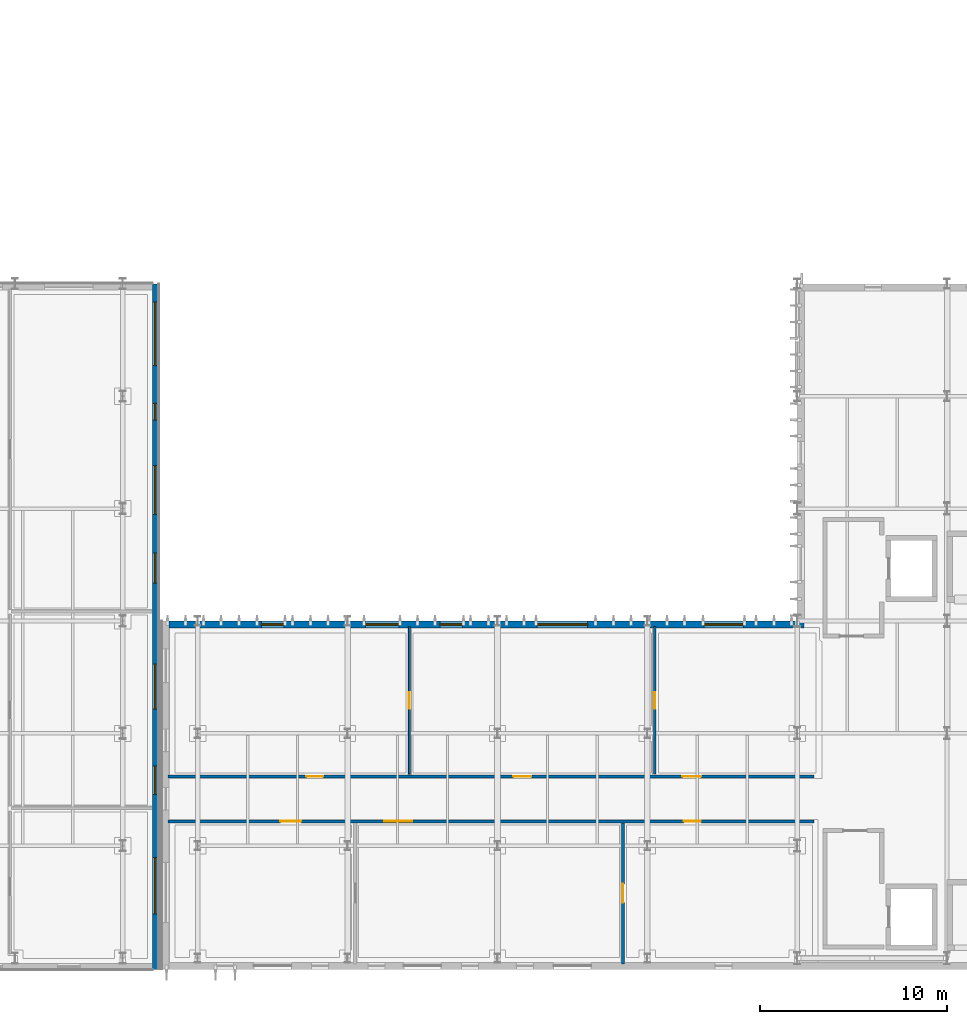
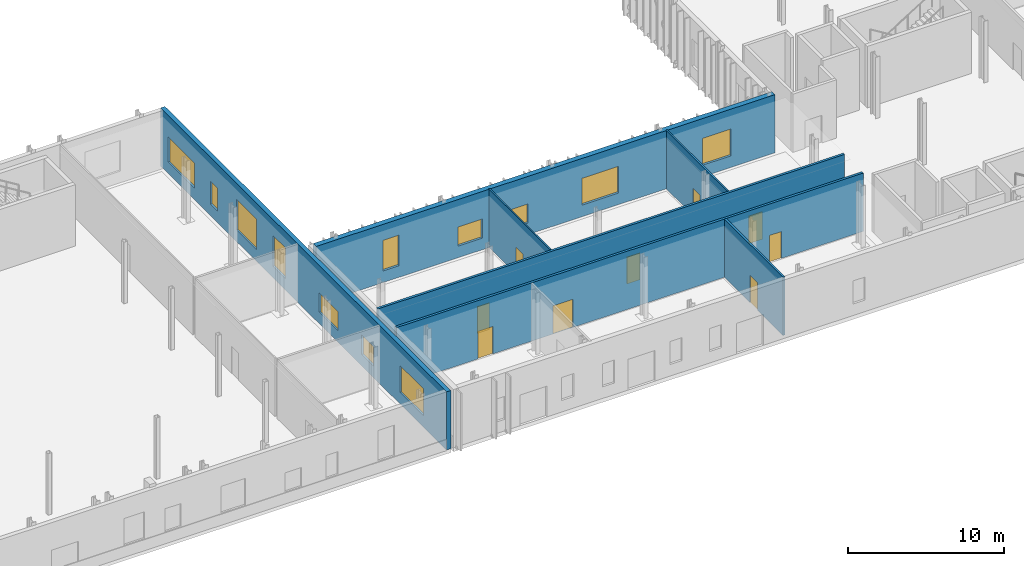
# One storey, part 27 of 60: 12 windows, 9 doors, 7 walls, 21 openings.
"""IFC4 building model written with IfcOpenShell, lengths in metres."""

from ifc_helpers import new_model, si_unit, direction, frame, frame_2d, origin, place, context, subcontext, project, spatial, rectangle, extrude, material, layer, layer_set, type_object, element, fill, save


model = new_model("IFC4")

# Units and contexts
model_context = context("Model", 3, precision=1e-05, world=origin(), true_north=direction((0.0, 1.0)))
body_context = subcontext(model_context, "Body", "Model", "MODEL_VIEW")
ifc_project = project(units=[si_unit("LENGTHUNIT", "METRE"), si_unit("AREAUNIT", "SQUARE_METRE"), si_unit("VOLUMEUNIT", "CUBIC_METRE"), si_unit("PLANEANGLEUNIT", "RADIAN"), si_unit("MASSUNIT", "GRAM", prefix="KILO")], contexts=[model_context])

# Site, building, storey
site_placement = place(None, origin())
site = spatial("IfcSite", under=ifc_project, at=site_placement, CompositionType="ELEMENT")
building_placement = place(site_placement, origin())
building = spatial("IfcBuilding", under=site, at=building_placement, Name="Cymarion Research Institute", CompositionType="ELEMENT")
storey_placement = place(building_placement, origin())
storey = spatial("IfcBuildingStorey", under=building, at=storey_placement, Name="L00", CompositionType="ELEMENT", Elevation=0.0)

# Wall, openings, windows
ifc_material_1 = material(Name="Precast concrete C40/50", Category="concrete")
ifc_layer_1 = layer(ifc_material_1, 0.3798828125)
ifc_layer_set_1 = layer_set([ifc_layer_1], Name="Precast concrete C40/50")
wall_type_1 = type_object("IfcWallType", Name="EXTERIOR WALL EW-PC380 380MM", PredefinedType="SOLIDWALL", material=ifc_layer_set_1)
wall_1_placement = place(storey_placement, frame((138.9619140625, 23.31005859375, 0.0), z_axis=(0.0, 0.0, 1.0), x_axis=(-1.0, 0.0, 0.0)))
wall_1 = element("IfcWall", 1, at=wall_1_placement, inside=storey, type_object=wall_type_1, Name="L00 V1 exterior wall EW-PC380 #53", PredefinedType="SOLIDWALL", context=body_context, shape_type="SweptSolid", body=[
    extrude(rectangle(XDim=33.89990234375, YDim=0.3798828125, at=frame_2d((16.949951171875, 0.0))), origin(), (0.0, 0.0, 1.0), 4.550048828125),
])
opening_1_placement = place(wall_1_placement, frame((3.23193359375, 0.0, 0.89990234375)))
opening_1 = element("IfcOpeningElement", 2, at=opening_1_placement, cuts=wall_1, Name="Opening W11", PredefinedType="OPENING", context=body_context, shape_type="SweptSolid", body=[
    extrude(rectangle(XDim=2.10009765625, YDim=2.10009765625, at=frame_2d((1.050048828125, 1.050048828125))), frame((0.0, 0.199951171875, 0.0), z_axis=(0.0, -1.0, 0.0), x_axis=(1.0, 0.0, 0.0)), (0.0, 0.0, 1.0), 0.39990234375),
])
opening_2_placement = place(wall_1_placement, frame((11.5419921875, 0.0, 0.89990234375)))
opening_2 = element("IfcOpeningElement", 3, at=opening_2_placement, cuts=wall_1, Name="Opening W13", PredefinedType="OPENING", context=body_context, shape_type="SweptSolid", body=[
    extrude(rectangle(XDim=2.699951171875, YDim=2.10009765625, at=frame_2d((1.35009765625, 1.050048828125))), frame((0.0, 0.199951171875, 0.0), z_axis=(0.0, -1.0, 0.0), x_axis=(1.0, 0.0, 0.0)), (0.0, 0.0, 1.0), 0.39990234375),
])
opening_3_placement = place(wall_1_placement, frame((18.23193359375, 0.0, 0.89990234375)))
opening_3 = element("IfcOpeningElement", 4, at=opening_3_placement, cuts=wall_1, Name="Opening W15", PredefinedType="OPENING", context=body_context, shape_type="SweptSolid", body=[
    extrude(rectangle(XDim=1.199951171875, YDim=1.5, at=frame_2d((0.60009765625, 0.75))), frame((0.0, 0.199951171875, 0.0), z_axis=(0.0, -1.0, 0.0), x_axis=(1.0, 0.0, 0.0)), (0.0, 0.0, 1.0), 0.39990234375),
])
opening_4_placement = place(wall_1_placement, frame((21.612060546875, 0.0, 0.89990234375)))
opening_4 = element("IfcOpeningElement", 5, at=opening_4_placement, cuts=wall_1, Name="Opening W17", PredefinedType="OPENING", context=body_context, shape_type="SweptSolid", body=[
    extrude(rectangle(XDim=1.800048828125, YDim=1.5, at=frame_2d((0.89990234375, 0.75))), frame((0.0, 0.199951171875, 0.0), z_axis=(0.0, -1.0, 0.0), x_axis=(1.0, 0.0, 0.0)), (0.0, 0.0, 1.0), 0.39990234375),
])
opening_5_placement = place(wall_1_placement, frame((27.761962890625, 0.0, 0.89990234375)))
opening_5 = element("IfcOpeningElement", 6, at=opening_5_placement, cuts=wall_1, Name="Opening W19", PredefinedType="OPENING", context=body_context, shape_type="SweptSolid", body=[
    extrude(rectangle(XDim=1.199951171875, YDim=2.39990234375, at=frame_2d((0.60009765625, 1.199951171875))), frame((0.0, 0.199951171875, 0.0), z_axis=(0.0, -1.0, 0.0), x_axis=(1.0, 0.0, 0.0)), (0.0, 0.0, 1.0), 0.39990234375),
])
ifc_material_2 = material(Name="Thermally broken aluminium window with Low-E glazing", Category="aluminium")
window_type_1 = type_object("IfcWindowType", Name="THERMALLY BROKEN ALUMINIUM WINDOW W11 2100X2100", PartitioningType="DOUBLE_PANEL_VERTICAL", PredefinedType="WINDOW", material=ifc_material_2)
window_1_placement = place(opening_1_placement, origin())
window_1 = element("IfcWindow", 7, at=window_1_placement, inside=storey, type_object=window_type_1, Name="L00 V1 facade window W11 #29", OverallHeight=2.10009765625, OverallWidth=2.10009765625, PartitioningType="SINGLE_PANEL", PredefinedType="WINDOW", context=body_context, shape_type="SweptSolid", body=[
    extrude(rectangle(XDim=2.10009765625, YDim=2.10009765625, at=frame_2d((1.050048828125, 1.050048828125))), frame((0.0, 0.030029296875, 0.0), z_axis=(0.0, -1.0, 0.0), x_axis=(1.0, 0.0, 0.0)), (0.0, 0.0, 1.0), 0.06005859375),
])
fill(opening_1, window_1)
window_type_2 = type_object("IfcWindowType", Name="THERMALLY BROKEN ALUMINIUM WINDOW W13 2700X2100", PartitioningType="TRIPLE_PANEL_VERTICAL", PredefinedType="WINDOW", material=ifc_material_2)
window_2_placement = place(opening_2_placement, origin())
window_2 = element("IfcWindow", 8, at=window_2_placement, inside=storey, type_object=window_type_2, Name="L00 V1 facade window W13 #30", OverallHeight=2.10009765625, OverallWidth=2.699951171875, PartitioningType="SINGLE_PANEL", PredefinedType="WINDOW", context=body_context, shape_type="SweptSolid", body=[
    extrude(rectangle(XDim=2.699951171875, YDim=2.10009765625, at=frame_2d((1.35009765625, 1.050048828125))), frame((0.0, 0.030029296875, 0.0), z_axis=(0.0, -1.0, 0.0), x_axis=(1.0, 0.0, 0.0)), (0.0, 0.0, 1.0), 0.06005859375),
])
fill(opening_2, window_2)
window_type_3 = type_object("IfcWindowType", Name="THERMALLY BROKEN ALUMINIUM WINDOW W15 1200X1500", PartitioningType="SINGLE_PANEL", PredefinedType="WINDOW", material=ifc_material_2)
window_3_placement = place(opening_3_placement, origin())
window_3 = element("IfcWindow", 9, at=window_3_placement, inside=storey, type_object=window_type_3, Name="L00 V1 facade window W15 #31", OverallHeight=1.5, OverallWidth=1.199951171875, PartitioningType="SINGLE_PANEL", PredefinedType="WINDOW", context=body_context, shape_type="SweptSolid", body=[
    extrude(rectangle(XDim=1.199951171875, YDim=1.5, at=frame_2d((0.60009765625, 0.75))), frame((0.0, 0.030029296875, 0.0), z_axis=(0.0, -1.0, 0.0), x_axis=(1.0, 0.0, 0.0)), (0.0, 0.0, 1.0), 0.06005859375),
])
fill(opening_3, window_3)
window_type_4 = type_object("IfcWindowType", Name="THERMALLY BROKEN ALUMINIUM WINDOW W17 1800X1500", PartitioningType="DOUBLE_PANEL_HORIZONTAL", PredefinedType="WINDOW", material=ifc_material_2)
window_4_placement = place(opening_4_placement, origin())
window_4 = element("IfcWindow", 10, at=window_4_placement, inside=storey, type_object=window_type_4, Name="L00 V1 facade window W17 #32", OverallHeight=1.5, OverallWidth=1.800048828125, PartitioningType="SINGLE_PANEL", PredefinedType="WINDOW", context=body_context, shape_type="SweptSolid", body=[
    extrude(rectangle(XDim=1.800048828125, YDim=1.5, at=frame_2d((0.89990234375, 0.75))), frame((0.0, 0.030029296875, 0.0), z_axis=(0.0, -1.0, 0.0), x_axis=(1.0, 0.0, 0.0)), (0.0, 0.0, 1.0), 0.06005859375),
])
fill(opening_4, window_4)
window_type_5 = type_object("IfcWindowType", Name="THERMALLY BROKEN ALUMINIUM WINDOW W19 1200X2400", PartitioningType="SINGLE_PANEL", PredefinedType="WINDOW", material=ifc_material_2)
window_5_placement = place(opening_5_placement, origin())
window_5 = element("IfcWindow", 11, at=window_5_placement, inside=storey, type_object=window_type_5, Name="L00 V1 facade window W19 #33", OverallHeight=2.39990234375, OverallWidth=1.199951171875, PartitioningType="SINGLE_PANEL", PredefinedType="WINDOW", context=body_context, shape_type="SweptSolid", body=[
    extrude(rectangle(XDim=1.199951171875, YDim=2.39990234375, at=frame_2d((0.60009765625, 1.199951171875))), frame((0.0, 0.030029296875, 0.0), z_axis=(0.0, -1.0, 0.0), x_axis=(1.0, 0.0, 0.0)), (0.0, 0.0, 1.0), 0.06005859375),
])
fill(opening_5, window_5)

ifc_material_3 = material(Name="Concrete C40/50", Category="concrete")
ifc_layer_2 = layer(ifc_material_3, 0.320068359375)
ifc_layer_set_2 = layer_set([ifc_layer_2], Name="Concrete C40/50")
wall_type_2 = type_object("IfcWallType", Name="EXTERIOR WALL EW-RC320 320MM", PredefinedType="SHEAR", material=ifc_layer_set_2)
wall_2_placement = place(storey_placement, frame((104.340087890625, 4.89990234375, 0.0), z_axis=(0.0, 0.0, 1.0), x_axis=(0.0, 1.0, 0.0)))
wall_2 = element("IfcWall", 12, at=wall_2_placement, inside=storey, type_object=wall_type_2, Name="L00 V2 exterior wall EW-RC320 #56", PredefinedType="SHEAR", context=body_context, shape_type="SweptSolid", body=[
    extrude(rectangle(XDim=36.60009765625, YDim=0.320068359375, at=frame_2d((18.300048828125, 0.0))), origin(), (0.0, 0.0, 1.0), 4.550048828125),
])
opening_6_placement = place(wall_2_placement, frame((2.969970703125, 0.0, 0.89990234375)))
opening_6 = element("IfcOpeningElement", 13, at=opening_6_placement, cuts=wall_2, Name="Opening W14", PredefinedType="OPENING", context=body_context, shape_type="SweptSolid", body=[
    extrude(rectangle(XDim=3.0, YDim=2.10009765625, at=frame_2d((1.5, 1.050048828125))), frame((0.0, 0.169921875, 0.0), z_axis=(0.0, -1.0, 0.0), x_axis=(1.0, 0.0, 0.0)), (0.0, 0.0, 1.0), 0.340087890625),
])
opening_7_placement = place(wall_2_placement, frame((9.35009765625, 0.0, 0.89990234375)))
opening_7 = element("IfcOpeningElement", 14, at=opening_7_placement, cuts=wall_2, Name="Opening W16", PredefinedType="OPENING", context=body_context, shape_type="SweptSolid", body=[
    extrude(rectangle(XDim=1.5, YDim=1.5, at=frame_2d((0.75, 0.75))), frame((0.0, 0.169921875, 0.0), z_axis=(0.0, -1.0, 0.0), x_axis=(1.0, 0.0, 0.0)), (0.0, 0.0, 1.0), 0.340087890625),
])
opening_8_placement = place(wall_2_placement, frame((13.89990234375, 0.0, 0.89990234375)))
opening_8 = element("IfcOpeningElement", 15, at=opening_8_placement, cuts=wall_2, Name="Opening W18", PredefinedType="OPENING", context=body_context, shape_type="SweptSolid", body=[
    extrude(rectangle(XDim=2.39990234375, YDim=1.5, at=frame_2d((1.199951171875, 0.75))), frame((0.0, 0.169921875, 0.0), z_axis=(0.0, -1.0, 0.0), x_axis=(1.0, 0.0, 0.0)), (0.0, 0.0, 1.0), 0.340087890625),
])
opening_9_placement = place(wall_2_placement, frame((20.625, 0.0, 0.89990234375)))
opening_9 = element("IfcOpeningElement", 16, at=opening_9_placement, cuts=wall_2, Name="Opening W20", PredefinedType="OPENING", context=body_context, shape_type="SweptSolid", body=[
    extrude(rectangle(XDim=1.60009765625, YDim=2.39990234375, at=frame_2d((0.800048828125, 1.199951171875))), frame((0.0, 0.169921875, 0.0), z_axis=(0.0, -1.0, 0.0), x_axis=(1.0, 0.0, 0.0)), (0.0, 0.0, 1.0), 0.340087890625),
])
opening_10_placement = place(wall_2_placement, frame((24.294921875, 0.0, 0.89990234375)))
opening_10 = element("IfcOpeningElement", 17, at=opening_10_placement, cuts=wall_2, Name="Opening W22", PredefinedType="OPENING", context=body_context, shape_type="SweptSolid", body=[
    extrude(rectangle(XDim=2.60009765625, YDim=2.39990234375, at=frame_2d((1.300048828125, 1.199951171875))), frame((0.0, 0.169921875, 0.0), z_axis=(0.0, -1.0, 0.0), x_axis=(1.0, 0.0, 0.0)), (0.0, 0.0, 1.0), 0.340087890625),
])
opening_11_placement = place(wall_2_placement, frame((29.31494140625, 0.0, 0.89990234375)))
opening_11 = element("IfcOpeningElement", 18, at=opening_11_placement, cuts=wall_2, Name="Opening W24", PredefinedType="OPENING", context=body_context, shape_type="SweptSolid", body=[
    extrude(rectangle(XDim=0.89990234375, YDim=1.800048828125, at=frame_2d((0.449951171875, 0.89990234375))), frame((0.0, 0.169921875, 0.0), z_axis=(0.0, -1.0, 0.0), x_axis=(1.0, 0.0, 0.0)), (0.0, 0.0, 1.0), 0.340087890625),
])
opening_12_placement = place(wall_2_placement, frame((32.235107421875, 0.0, 0.89990234375)))
opening_12 = element("IfcOpeningElement", 19, at=opening_12_placement, cuts=wall_2, Name="Opening W26", PredefinedType="OPENING", context=body_context, shape_type="SweptSolid", body=[
    extrude(rectangle(XDim=3.39990234375, YDim=1.949951171875, at=frame_2d((1.699951171875, 0.97509765625))), frame((0.0, 0.169921875, 0.0), z_axis=(0.0, -1.0, 0.0), x_axis=(1.0, 0.0, 0.0)), (0.0, 0.0, 1.0), 0.340087890625),
])
window_type_6 = type_object("IfcWindowType", Name="THERMALLY BROKEN ALUMINIUM WINDOW W14 3000X2100", PartitioningType="TRIPLE_PANEL_VERTICAL", PredefinedType="WINDOW", material=ifc_material_2)
window_6_placement = place(opening_6_placement, origin())
window_6 = element("IfcWindow", 20, at=window_6_placement, inside=storey, type_object=window_type_6, Name="L00 V2 facade window W14 #46", OverallHeight=2.10009765625, OverallWidth=3.0, PartitioningType="SINGLE_PANEL", PredefinedType="WINDOW", context=body_context, shape_type="SweptSolid", body=[
    extrude(rectangle(XDim=3.0, YDim=2.10009765625, at=frame_2d((1.5, 1.050048828125))), frame((0.0, 0.030029296875, 0.0), z_axis=(0.0, -1.0, 0.0), x_axis=(1.0, 0.0, 0.0)), (0.0, 0.0, 1.0), 0.06005859375),
])
fill(opening_6, window_6)
window_type_7 = type_object("IfcWindowType", Name="THERMALLY BROKEN ALUMINIUM WINDOW W16 1500X1500", PartitioningType="DOUBLE_PANEL_HORIZONTAL", PredefinedType="WINDOW", material=ifc_material_2)
window_7_placement = place(opening_7_placement, origin())
window_7 = element("IfcWindow", 21, at=window_7_placement, inside=storey, type_object=window_type_7, Name="L00 V2 facade window W16 #47", OverallHeight=1.5, OverallWidth=1.5, PartitioningType="SINGLE_PANEL", PredefinedType="WINDOW", context=body_context, shape_type="SweptSolid", body=[
    extrude(rectangle(XDim=1.5, YDim=1.5, at=frame_2d((0.75, 0.75))), frame((0.0, 0.030029296875, 0.0), z_axis=(0.0, -1.0, 0.0), x_axis=(1.0, 0.0, 0.0)), (0.0, 0.0, 1.0), 0.06005859375),
])
fill(opening_7, window_7)
window_type_8 = type_object("IfcWindowType", Name="THERMALLY BROKEN ALUMINIUM WINDOW W18 2400X1500", PartitioningType="TRIPLE_PANEL_HORIZONTAL", PredefinedType="WINDOW", material=ifc_material_2)
window_8_placement = place(opening_8_placement, origin())
window_8 = element("IfcWindow", 22, at=window_8_placement, inside=storey, type_object=window_type_8, Name="L00 V2 facade window W18 #48", OverallHeight=1.5, OverallWidth=2.39990234375, PartitioningType="SINGLE_PANEL", PredefinedType="WINDOW", context=body_context, shape_type="SweptSolid", body=[
    extrude(rectangle(XDim=2.39990234375, YDim=1.5, at=frame_2d((1.199951171875, 0.75))), frame((0.0, 0.030029296875, 0.0), z_axis=(0.0, -1.0, 0.0), x_axis=(1.0, 0.0, 0.0)), (0.0, 0.0, 1.0), 0.06005859375),
])
fill(opening_8, window_8)
window_type_9 = type_object("IfcWindowType", Name="THERMALLY BROKEN ALUMINIUM WINDOW W20 1600X2400", PartitioningType="DOUBLE_PANEL_VERTICAL", PredefinedType="WINDOW", material=ifc_material_2)
window_9_placement = place(opening_9_placement, origin())
window_9 = element("IfcWindow", 23, at=window_9_placement, inside=storey, type_object=window_type_9, Name="L00 V2 facade window W20 #49", OverallHeight=2.39990234375, OverallWidth=1.60009765625, PartitioningType="SINGLE_PANEL", PredefinedType="WINDOW", context=body_context, shape_type="SweptSolid", body=[
    extrude(rectangle(XDim=1.60009765625, YDim=2.39990234375, at=frame_2d((0.800048828125, 1.199951171875))), frame((0.0, 0.030029296875, 0.0), z_axis=(0.0, -1.0, 0.0), x_axis=(1.0, 0.0, 0.0)), (0.0, 0.0, 1.0), 0.06005859375),
])
fill(opening_9, window_9)
window_type_10 = type_object("IfcWindowType", Name="THERMALLY BROKEN ALUMINIUM WINDOW W22 2600X2400", PartitioningType="TRIPLE_PANEL_VERTICAL", PredefinedType="WINDOW", material=ifc_material_2)
window_10_placement = place(opening_10_placement, origin())
window_10 = element("IfcWindow", 24, at=window_10_placement, inside=storey, type_object=window_type_10, Name="L00 V2 facade window W22 #50", OverallHeight=2.39990234375, OverallWidth=2.60009765625, PartitioningType="SINGLE_PANEL", PredefinedType="WINDOW", context=body_context, shape_type="SweptSolid", body=[
    extrude(rectangle(XDim=2.60009765625, YDim=2.39990234375, at=frame_2d((1.300048828125, 1.199951171875))), frame((0.0, 0.030029296875, 0.0), z_axis=(0.0, -1.0, 0.0), x_axis=(1.0, 0.0, 0.0)), (0.0, 0.0, 1.0), 0.06005859375),
])
fill(opening_10, window_10)
window_type_11 = type_object("IfcWindowType", Name="THERMALLY BROKEN ALUMINIUM WINDOW W24 900X1800", PartitioningType="SINGLE_PANEL", PredefinedType="WINDOW", material=ifc_material_2)
window_11_placement = place(opening_11_placement, origin())
window_11 = element("IfcWindow", 25, at=window_11_placement, inside=storey, type_object=window_type_11, Name="L00 V2 facade window W24 #51", OverallHeight=1.800048828125, OverallWidth=0.89990234375, PartitioningType="SINGLE_PANEL", PredefinedType="WINDOW", context=body_context, shape_type="SweptSolid", body=[
    extrude(rectangle(XDim=0.89990234375, YDim=1.800048828125, at=frame_2d((0.449951171875, 0.89990234375))), frame((0.0, 0.030029296875, 0.0), z_axis=(0.0, -1.0, 0.0), x_axis=(1.0, 0.0, 0.0)), (0.0, 0.0, 1.0), 0.06005859375),
])
fill(opening_11, window_11)
window_type_12 = type_object("IfcWindowType", Name="THERMALLY BROKEN ALUMINIUM WINDOW W26 3400X1950", PartitioningType="TRIPLE_PANEL_VERTICAL", PredefinedType="WINDOW", material=ifc_material_2)
window_12_placement = place(opening_12_placement, origin())
window_12 = element("IfcWindow", 26, at=window_12_placement, inside=storey, type_object=window_type_12, Name="L00 V2 facade window W26 #52", OverallHeight=1.949951171875, OverallWidth=3.39990234375, PartitioningType="SINGLE_PANEL", PredefinedType="WINDOW", context=body_context, shape_type="SweptSolid", body=[
    extrude(rectangle(XDim=3.39990234375, YDim=1.949951171875, at=frame_2d((1.699951171875, 0.97509765625))), frame((0.0, 0.030029296875, 0.0), z_axis=(0.0, -1.0, 0.0), x_axis=(1.0, 0.0, 0.0)), (0.0, 0.0, 1.0), 0.06005859375),
])
fill(opening_12, window_12)

# Wall, opening, door
ifc_material_4 = material(Name="Gypsum acoustic double-stud partition", Category="gypsum")
ifc_layer_3 = layer(ifc_material_4, 0.14990234375)
ifc_layer_set_3 = layer_set([ifc_layer_3], Name="Gypsum acoustic double-stud partition")
wall_type_3 = type_object("IfcWallType", Name="INTERIOR PARTITION IW-AC150 150MM", PredefinedType="PARTITIONING", material=ifc_layer_set_3)
wall_3_placement = place(storey_placement, frame((129.300048828125, 5.205078125, 0.0), z_axis=(0.0, 0.0, 1.0), x_axis=(0.0, 1.0, 0.0)))
wall_3 = element("IfcWall", 27, at=wall_3_placement, inside=storey, type_object=wall_type_3, Name="L00 V1 interior partition IW-AC150 #57", PredefinedType="PARTITIONING", context=body_context, shape_type="SweptSolid", body=[
    extrude(rectangle(XDim=7.514892578125, YDim=0.14990234375, at=frame_2d((3.75732421875, 0.0))), origin(), (0.0, 0.0, 1.0), 4.550048828125),
])
opening_13_placement = place(wall_3_placement, frame((3.258056640625, 0.0, 0.0)))
opening_13 = element("IfcOpeningElement", 28, at=opening_13_placement, cuts=wall_3, Name="Opening D-L00-041", PredefinedType="OPENING", context=body_context, shape_type="SweptSolid", body=[
    extrude(rectangle(XDim=1.0, YDim=2.14990234375, at=frame_2d((0.5, 1.074951171875))), frame((0.0, 0.0849609375, 0.0), z_axis=(0.0, -1.0, 0.0), x_axis=(1.0, 0.0, 0.0)), (0.0, 0.0, 1.0), 0.169921875),
])
ifc_material_5 = material(Name="Flush acoustic timber/steel door assembly", Category="steel")
door_type_1 = type_object("IfcDoorType", Name="LABORATORY SINGLE LEAF DOOR DT-LB100 1000X2150", OperationType="NOTDEFINED", PredefinedType="DOOR", material=ifc_material_5)
door_1_placement = place(opening_13_placement, origin())
door_1 = element("IfcDoor", 29, at=door_1_placement, inside=storey, type_object=door_type_1, Name="L00 Inter-lab door D-L00-041", OperationType="SINGLE_SWING_RIGHT", OverallHeight=2.14990234375, OverallWidth=1.0, PredefinedType="DOOR", context=body_context, shape_type="SweptSolid", body=[
    extrude(rectangle(XDim=1.0, YDim=2.14990234375, at=frame_2d((0.5, 1.074951171875))), frame((0.0, 0.02490234375, 0.0), z_axis=(0.0, -1.0, 0.0), x_axis=(1.0, 0.0, 0.0)), (0.0, 0.0, 1.0), 0.050048828125),
])
fill(opening_13, door_1)

ifc_material_6 = material(Name="Framed acoustic glass laboratory screen", Category="glass")
ifc_layer_4 = layer(ifc_material_6, 0.10009765625)
ifc_layer_set_4 = layer_set([ifc_layer_4], Name="Framed acoustic glass laboratory screen")
wall_type_4 = type_object("IfcWallType", Name="INTERIOR PARTITION IW-GL100 100MM", PredefinedType="PARTITIONING", material=ifc_layer_set_4)
wall_4_placement = place(storey_placement, frame((117.89990234375, 15.320068359375, 0.0), z_axis=(0.0, 0.0, 1.0), x_axis=(0.0, 1.0, 0.0)))
wall_4 = element("IfcWall", 30, at=wall_4_placement, inside=storey, type_object=wall_type_4, Name="L00 V1 interior partition IW-GL100 #58", PredefinedType="PARTITIONING", context=body_context, shape_type="SweptSolid", body=[
    extrude(rectangle(XDim=7.875, YDim=0.10009765625, at=frame_2d((3.9375, 0.0))), origin(), (0.0, 0.0, 1.0), 4.550048828125),
])
opening_14_placement = place(wall_4_placement, frame((3.487060546875, 0.0, 0.0)))
opening_14 = element("IfcOpeningElement", 31, at=opening_14_placement, cuts=wall_4, Name="Opening D-L00-042", PredefinedType="OPENING", context=body_context, shape_type="SweptSolid", body=[
    extrude(rectangle(XDim=0.89990234375, YDim=2.10009765625, at=frame_2d((0.449951171875, 1.050048828125))), frame((0.0, 0.06005859375, 0.0), z_axis=(0.0, -1.0, 0.0), x_axis=(1.0, 0.0, 0.0)), (0.0, 0.0, 1.0), 0.1201171875),
])
door_type_2 = type_object("IfcDoorType", Name="RESEARCH WRITE-UP OFFICE DOOR DT-OF090 900X2100", OperationType="NOTDEFINED", PredefinedType="DOOR", material=ifc_material_5)
door_2_placement = place(opening_14_placement, origin())
door_2 = element("IfcDoor", 32, at=door_2_placement, inside=storey, type_object=door_type_2, Name="L00 Write-up door D-L00-042", OperationType="SINGLE_SWING_LEFT", OverallHeight=2.10009765625, OverallWidth=0.89990234375, PredefinedType="DOOR", context=body_context, shape_type="SweptSolid", body=[
    extrude(rectangle(XDim=0.89990234375, YDim=2.10009765625, at=frame_2d((0.449951171875, 1.050048828125))), frame((0.0, 0.02490234375, 0.0), z_axis=(0.0, -1.0, 0.0), x_axis=(1.0, 0.0, 0.0)), (0.0, 0.0, 1.0), 0.050048828125),
])
fill(opening_14, door_2)

# Wall, openings, doors
ifc_material_7 = material(Name="Moisture-resistant laboratory partition", Category="gypsum")
ifc_layer_5 = layer(ifc_material_7, 0.179931640625)
ifc_layer_set_5 = layer_set([ifc_layer_5], Name="Moisture-resistant laboratory partition")
wall_type_5 = type_object("IfcWallType", Name="INTERIOR PARTITION IW-LB180 180MM", PredefinedType="PARTITIONING", material=ifc_layer_set_5)
wall_5_placement = place(storey_placement, frame((105.0048828125, 12.800048828125, 0.0), z_axis=(0.0, 0.0, 1.0), x_axis=(1.0, 0.0, 0.0)))
wall_5 = element("IfcWall", 33, at=wall_5_placement, inside=storey, type_object=wall_type_5, Name="L00 V1 interior partition IW-LB180 #54", PredefinedType="PARTITIONING", context=body_context, shape_type="SweptSolid", body=[
    extrude(rectangle(XDim=34.4951171875, YDim=0.179931640625, at=frame_2d((17.24755859375, 0.0))), origin(), (0.0, 0.0, 1.0), 4.550048828125),
])
opening_15_placement = place(wall_5_placement, frame((6.010986328125, 0.0, 0.0)))
opening_15 = element("IfcOpeningElement", 34, at=opening_15_placement, cuts=wall_5, Name="Opening D-L00-034", PredefinedType="OPENING", context=body_context, shape_type="SweptSolid", body=[
    extrude(rectangle(XDim=1.10009765625, YDim=2.14990234375, at=frame_2d((0.550048828125, 1.074951171875))), frame((0.0, 0.099853515625, 0.0), z_axis=(0.0, -1.0, 0.0), x_axis=(1.0, 0.0, 0.0)), (0.0, 0.0, 1.0), 0.199951171875),
])
opening_16_placement = place(wall_5_placement, frame((11.548095703125, 0.0, 0.0)))
opening_16 = element("IfcOpeningElement", 35, at=opening_16_placement, cuts=wall_5, Name="Opening D-L00-035", PredefinedType="OPENING", context=body_context, shape_type="SweptSolid", body=[
    extrude(rectangle(XDim=1.5, YDim=2.199951171875, at=frame_2d((0.75, 1.10009765625))), frame((0.0, 0.099853515625, 0.0), z_axis=(0.0, -1.0, 0.0), x_axis=(1.0, 0.0, 0.0)), (0.0, 0.0, 1.0), 0.199951171875),
])
opening_17_placement = place(wall_5_placement, frame((27.548095703125, 0.0, 0.0)))
opening_17 = element("IfcOpeningElement", 36, at=opening_17_placement, cuts=wall_5, Name="Opening D-L00-036", PredefinedType="OPENING", context=body_context, shape_type="SweptSolid", body=[
    extrude(rectangle(XDim=0.89990234375, YDim=2.10009765625, at=frame_2d((0.449951171875, 1.050048828125))), frame((0.0, 0.099853515625, 0.0), z_axis=(0.0, -1.0, 0.0), x_axis=(1.0, 0.0, 0.0)), (0.0, 0.0, 1.0), 0.199951171875),
])
door_type_3 = type_object("IfcDoorType", Name="ACCESSIBLE RESTROOM DOOR DT-WC090 900X2100", OperationType="NOTDEFINED", PredefinedType="DOOR", material=ifc_material_5)
door_3_placement = place(opening_17_placement, origin())
door_3 = element("IfcDoor", 37, at=door_3_placement, inside=storey, type_object=door_type_3, Name="L00 Restroom door D-L00-036", OperationType="SINGLE_SWING_LEFT", OverallHeight=2.10009765625, OverallWidth=0.89990234375, PredefinedType="DOOR", context=body_context, shape_type="SweptSolid", body=[
    extrude(rectangle(XDim=0.89990234375, YDim=2.10009765625, at=frame_2d((0.449951171875, 1.050048828125))), frame((0.0, 0.02490234375, 0.0), z_axis=(0.0, -1.0, 0.0), x_axis=(1.0, 0.0, 0.0)), (0.0, 0.0, 1.0), 0.050048828125),
])
fill(opening_17, door_3)
door_type_4 = type_object("IfcDoorType", Name="LABORATORY EQUIPMENT DOUBLE DOOR DT-LB150 1500X2200", OperationType="DOUBLE_DOOR_SINGLE_SWING", PredefinedType="DOOR", material=ifc_material_5)
door_4_placement = place(opening_16_placement, origin())
door_4 = element("IfcDoor", 38, at=door_4_placement, inside=storey, type_object=door_type_4, Name="L00 Lab S2 door D-L00-035", OperationType="DOUBLE_DOOR_SINGLE_SWING", OverallHeight=2.199951171875, OverallWidth=1.5, PredefinedType="DOOR", context=body_context, shape_type="SweptSolid", body=[
    extrude(rectangle(XDim=1.5, YDim=2.199951171875, at=frame_2d((0.75, 1.10009765625))), frame((0.0, 0.02490234375, 0.0), z_axis=(0.0, -1.0, 0.0), x_axis=(1.0, 0.0, 0.0)), (0.0, 0.0, 1.0), 0.050048828125),
])
fill(opening_16, door_4)
door_type_5 = type_object("IfcDoorType", Name="LABORATORY WIDE SINGLE DOOR DT-LB110 1100X2150", OperationType="NOTDEFINED", PredefinedType="DOOR", material=ifc_material_5)
door_5_placement = place(opening_15_placement, origin())
door_5 = element("IfcDoor", 39, at=door_5_placement, inside=storey, type_object=door_type_5, Name="L00 Lab S1 door D-L00-034", OperationType="SINGLE_SWING_LEFT", OverallHeight=2.14990234375, OverallWidth=1.10009765625, PredefinedType="DOOR", context=body_context, shape_type="SweptSolid", body=[
    extrude(rectangle(XDim=1.10009765625, YDim=2.14990234375, at=frame_2d((0.550048828125, 1.074951171875))), frame((0.0, 0.02490234375, 0.0), z_axis=(0.0, -1.0, 0.0), x_axis=(1.0, 0.0, 0.0)), (0.0, 0.0, 1.0), 0.050048828125),
])
fill(opening_15, door_5)

wall_6_placement = place(storey_placement, frame((105.0048828125, 15.199951171875, 0.0), z_axis=(0.0, 0.0, 1.0), x_axis=(1.0, 0.0, 0.0)))
wall_6 = element("IfcWall", 40, at=wall_6_placement, inside=storey, type_object=wall_type_5, Name="L00 V1 interior partition IW-LB180 #55", PredefinedType="PARTITIONING", context=body_context, shape_type="SweptSolid", body=[
    extrude(rectangle(XDim=34.4951171875, YDim=0.179931640625, at=frame_2d((17.24755859375, 0.0))), origin(), (0.0, 0.0, 1.0), 4.550048828125),
])
opening_18_placement = place(wall_6_placement, frame((7.39111328125, 0.0, 0.0)))
opening_18 = element("IfcOpeningElement", 41, at=opening_18_placement, cuts=wall_6, Name="Opening D-L00-037", PredefinedType="OPENING", context=body_context, shape_type="SweptSolid", body=[
    extrude(rectangle(XDim=0.89990234375, YDim=2.10009765625, at=frame_2d((0.449951171875, 1.050048828125))), frame((0.0, 0.099853515625, 0.0), z_axis=(0.0, -1.0, 0.0), x_axis=(1.0, 0.0, 0.0)), (0.0, 0.0, 1.0), 0.199951171875),
])
opening_19_placement = place(wall_6_placement, frame((18.449951171875, 0.0, 0.0)))
opening_19 = element("IfcOpeningElement", 42, at=opening_19_placement, cuts=wall_6, Name="Opening D-L00-038", PredefinedType="OPENING", context=body_context, shape_type="SweptSolid", body=[
    extrude(rectangle(XDim=0.949951171875, YDim=2.10009765625, at=frame_2d((0.47509765625, 1.050048828125))), frame((0.0, 0.099853515625, 0.0), z_axis=(0.0, -1.0, 0.0), x_axis=(1.0, 0.0, 0.0)), (0.0, 0.0, 1.0), 0.199951171875),
])
opening_20_placement = place(wall_6_placement, frame((27.466064453125, 0.0, 0.0)))
opening_20 = element("IfcOpeningElement", 43, at=opening_20_placement, cuts=wall_6, Name="Opening D-L00-039", PredefinedType="OPENING", context=body_context, shape_type="SweptSolid", body=[
    extrude(rectangle(XDim=1.0, YDim=2.14990234375, at=frame_2d((0.5, 1.074951171875))), frame((0.0, 0.099853515625, 0.0), z_axis=(0.0, -1.0, 0.0), x_axis=(1.0, 0.0, 0.0)), (0.0, 0.0, 1.0), 0.199951171875),
])
door_type_6 = type_object("IfcDoorType", Name="FACULTY STUDY DOOR DT-OF095 950X2100", OperationType="NOTDEFINED", PredefinedType="DOOR", material=ifc_material_5)
door_6_placement = place(opening_19_placement, origin())
door_6 = element("IfcDoor", 44, at=door_6_placement, inside=storey, type_object=door_type_6, Name="L00 Write-up 2 door D-L00-038", OperationType="SINGLE_SWING_LEFT", OverallHeight=2.10009765625, OverallWidth=0.949951171875, PredefinedType="DOOR", context=body_context, shape_type="SweptSolid", body=[
    extrude(rectangle(XDim=0.949951171875, YDim=2.10009765625, at=frame_2d((0.47509765625, 1.050048828125))), frame((0.0, 0.02490234375, 0.0), z_axis=(0.0, -1.0, 0.0), x_axis=(1.0, 0.0, 0.0)), (0.0, 0.0, 1.0), 0.050048828125),
])
fill(opening_19, door_6)
door_7_placement = place(opening_20_placement, origin())
door_7 = element("IfcDoor", 45, at=door_7_placement, inside=storey, type_object=door_type_1, Name="L00 Prep Room door D-L00-039", OperationType="SINGLE_SWING_RIGHT", OverallHeight=2.14990234375, OverallWidth=1.0, PredefinedType="DOOR", context=body_context, shape_type="SweptSolid", body=[
    extrude(rectangle(XDim=1.0, YDim=2.14990234375, at=frame_2d((0.5, 1.074951171875))), frame((0.0, 0.02490234375, 0.0), z_axis=(0.0, -1.0, 0.0), x_axis=(1.0, 0.0, 0.0)), (0.0, 0.0, 1.0), 0.050048828125),
])
fill(opening_20, door_7)
door_8_placement = place(opening_18_placement, origin())
door_8 = element("IfcDoor", 46, at=door_8_placement, inside=storey, type_object=door_type_2, Name="L00 Write-up 1 door D-L00-037", OperationType="SINGLE_SWING_RIGHT", OverallHeight=2.10009765625, OverallWidth=0.89990234375, PredefinedType="DOOR", context=body_context, shape_type="SweptSolid", body=[
    extrude(rectangle(XDim=0.89990234375, YDim=2.10009765625, at=frame_2d((0.449951171875, 1.050048828125))), frame((0.0, 0.02490234375, 0.0), z_axis=(0.0, -1.0, 0.0), x_axis=(1.0, 0.0, 0.0)), (0.0, 0.0, 1.0), 0.050048828125),
])
fill(opening_18, door_8)

# Wall, opening, door
ifc_material_8 = material(Name="Service riser shaft wall", Category="gypsum")
ifc_layer_6 = layer(ifc_material_8, 0.1201171875)
ifc_layer_set_6 = layer_set([ifc_layer_6], Name="Service riser shaft wall")
wall_type_6 = type_object("IfcWallType", Name="INTERIOR PARTITION IW-SH120 120MM", PredefinedType="PARTITIONING", material=ifc_layer_set_6)
wall_7_placement = place(storey_placement, frame((131.0, 15.320068359375, 0.0), z_axis=(0.0, 0.0, 1.0), x_axis=(0.0, 1.0, 0.0)))
wall_7 = element("IfcWall", 47, at=wall_7_placement, inside=storey, type_object=wall_type_6, Name="L00 V1 interior partition IW-SH120 #59", PredefinedType="PARTITIONING", context=body_context, shape_type="SweptSolid", body=[
    extrude(rectangle(XDim=7.875, YDim=0.1201171875, at=frame_2d((3.9375, 0.0))), origin(), (0.0, 0.0, 1.0), 4.550048828125),
])
opening_21_placement = place(wall_7_placement, frame((3.487060546875, 0.0, 0.0)))
opening_21 = element("IfcOpeningElement", 48, at=opening_21_placement, cuts=wall_7, Name="Opening D-L00-043", PredefinedType="OPENING", context=body_context, shape_type="SweptSolid", body=[
    extrude(rectangle(XDim=0.89990234375, YDim=2.10009765625, at=frame_2d((0.449951171875, 1.050048828125))), frame((0.0, 0.070068359375, 0.0), z_axis=(0.0, -1.0, 0.0), x_axis=(1.0, 0.0, 0.0)), (0.0, 0.0, 1.0), 0.14013671875),
])
door_9_placement = place(opening_21_placement, origin())
door_9 = element("IfcDoor", 49, at=door_9_placement, inside=storey, type_object=door_type_2, Name="L00 Seminar door D-L00-043", OperationType="SINGLE_SWING_RIGHT", OverallHeight=2.10009765625, OverallWidth=0.89990234375, PredefinedType="DOOR", context=body_context, shape_type="SweptSolid", body=[
    extrude(rectangle(XDim=0.89990234375, YDim=2.10009765625, at=frame_2d((0.449951171875, 1.050048828125))), frame((0.0, 0.02490234375, 0.0), z_axis=(0.0, -1.0, 0.0), x_axis=(1.0, 0.0, 0.0)), (0.0, 0.0, 1.0), 0.050048828125),
])
fill(opening_21, door_9)

save(model, "model.ifc")
